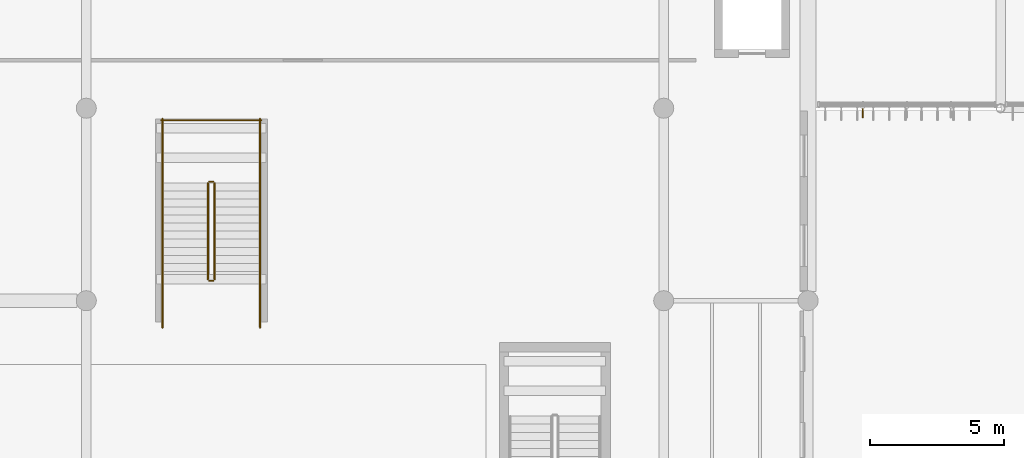
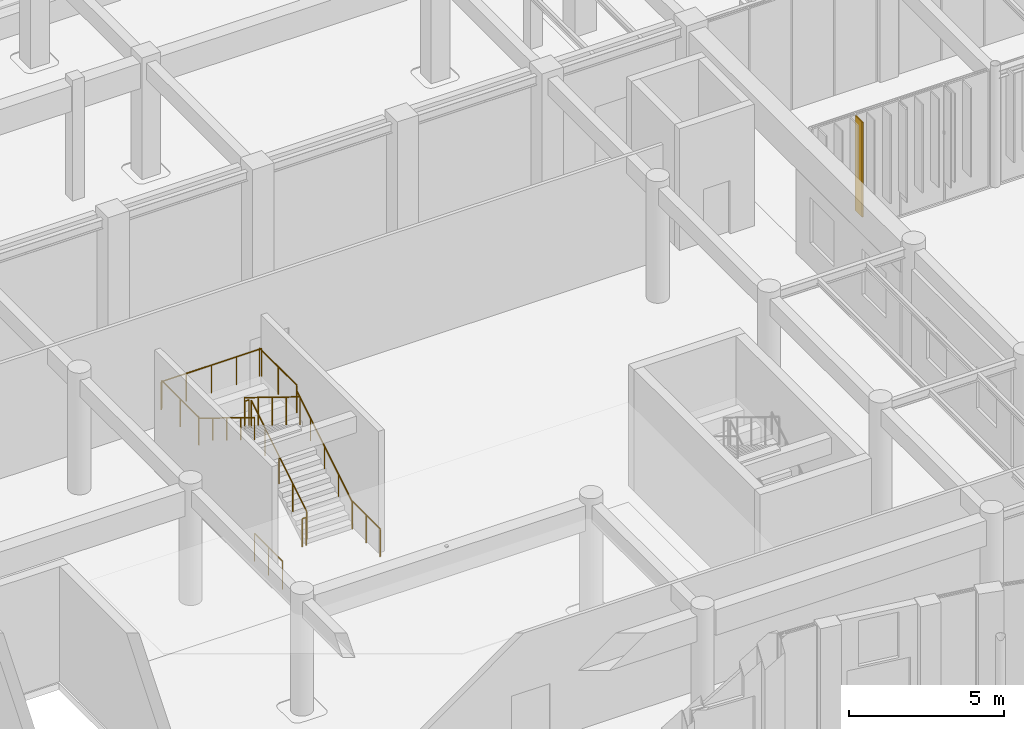
# One storey, part 112 of 122: 11 railings, 1 shading device.
"""IFC4 building model written with IfcOpenShell, lengths in metres."""

from ifc_helpers import new_model, si_unit, direction, frame, origin, origin_2d, place, context, subcontext, project, spatial, rectangle, circle, extrude, material, layer, layer_set, material_profile, profile_set, type_object, element, save


model = new_model("IFC4")

# Units and contexts
model_context = context("Model", 3, precision=1e-05, world=origin(), true_north=direction((0.0, 1.0)))
body_context = subcontext(model_context, "Body", "Model", "MODEL_VIEW")
ifc_project = project(units=[si_unit("LENGTHUNIT", "METRE"), si_unit("AREAUNIT", "SQUARE_METRE"), si_unit("VOLUMEUNIT", "CUBIC_METRE"), si_unit("PLANEANGLEUNIT", "RADIAN"), si_unit("MASSUNIT", "GRAM", prefix="KILO")], contexts=[model_context])

# Site, building, storey
site_placement = place(None, origin())
site = spatial("IfcSite", under=ifc_project, at=site_placement, CompositionType="ELEMENT")
building_placement = place(site_placement, origin())
building = spatial("IfcBuilding", under=site, at=building_placement, Name="Tazoul Stagehouse", CompositionType="ELEMENT")
storey_placement = place(building_placement, origin())
storey = spatial("IfcBuildingStorey", under=building, at=storey_placement, Name="L00", CompositionType="ELEMENT", Elevation=0.0)

# Shading device
ifc_material_1 = material(Name="Anodised Bronze Aluminium 6063-T6", Category="aluminium")
ifc_layer = layer(ifc_material_1, 0.050048828125, Name="Anodised Bronze Aluminium 6063-T6")
ifc_layer_set = layer_set([ifc_layer], Name="Anodised Bronze Aluminium 6063-T6")
shading_device_type = type_object("IfcShadingDeviceType", Name="Angled Acoustic Sun-Screen Blade 460", PredefinedType="USERDEFINED", material=ifc_layer_set)
shading_device_placement = place(storey_placement, frame((97.447021484375, 44.469970703125, 0.75), z_axis=(0.0, 0.0, 1.0), x_axis=(1.0, 0.0, 0.0)))
element("IfcShadingDevice", 1, at=shading_device_placement, inside=storey, type_object=shading_device_type, Name="Shading Louvre FIN-02 CW-ELNK-S-L00-B1-SHD01", ObjectType="FIN", PredefinedType="USERDEFINED", context=body_context, shape_type="SweptSolid", body=[
    extrude(rectangle(XDim=0.044921875, YDim=0.4599609375, at=origin_2d()), origin(), (0.0, 0.0, 1.0), 3.75),
])

# Railings
ifc_material_2 = material(Name="Brushed Stainless Steel 316L", Category="steel")
ifc_material_profile_1 = material_profile(ifc_material_2, circle(Radius=0.02392578125, at=origin_2d()), Name="SS RAIL D48")
ifc_profile_set_1 = profile_set([ifc_material_profile_1], Name="Brushed Stainless Steel 316L")
railing_type_1 = type_object("IfcRailingType", Name="Architectural Guardrail H1120", PredefinedType="GUARDRAIL", material=ifc_profile_set_1)
railing_1_placement = place(storey_placement, frame((73.199951171875, 38.199951171875, 0.1845703125)))
element("IfcRailing", 2, at=railing_1_placement, inside=storey, type_object=railing_type_1, Name="L00 ST-ATR-01 stair guard 1", PredefinedType="GUARDRAIL", context=body_context, shape_type="SweptSolid", body=[
    extrude(circle(Radius=0.02392578125, at=origin_2d()), frame((0.0, 0.0, 1.09619140625), z_axis=(0.0, 0.85167021472, 0.524078090897), x_axis=(-1.0, 0.0, 0.0)), (0.0, 0.0, 1.0), 4.22705078125),
    extrude(circle(Radius=0.02099609375, at=origin_2d()), origin(), (0.0, 0.0, 1.0), 1.072021484375),
    extrude(circle(Radius=0.02099609375, at=origin_2d()), frame((0.0, 0.89990234375, 0.5537109375)), (0.0, 0.0, 1.0), 1.072021484375),
    extrude(circle(Radius=0.02099609375, at=origin_2d()), frame((0.0, 1.800048828125, 1.107666015625)), (0.0, 0.0, 1.0), 1.072021484375),
    extrude(circle(Radius=0.02099609375, at=origin_2d()), frame((0.0, 2.7001953125, 1.66162109375)), (0.0, 0.0, 1.0), 1.072021484375),
    extrude(circle(Radius=0.02099609375, at=origin_2d()), frame((0.0, 3.60009765625, 2.21533203125)), (0.0, 0.0, 1.0), 1.072021484375),
])
railing_2_placement = place(storey_placement, frame((73.14990234375, 41.85009765625, 2.39990234375)))
element("IfcRailing", 3, at=railing_2_placement, inside=storey, type_object=railing_type_1, Name="L00 ST-ATR-01 stair guard 2", PredefinedType="GUARDRAIL", context=body_context, shape_type="SweptSolid", body=[
    extrude(circle(Radius=0.02392578125, at=origin_2d()), frame((0.0, 0.0, 1.09619140625), z_axis=(-1.0, 0.0, 0.0), x_axis=(0.0, -1.0, 0.0)), (0.0, 0.0, 1.0), 0.14990234375),
    extrude(circle(Radius=0.02099609375, at=origin_2d()), origin(), (0.0, 0.0, 1.0), 1.072021484375),
    extrude(circle(Radius=0.02099609375, at=origin_2d()), frame((-0.14990234375, 0.0, 0.0)), (0.0, 0.0, 1.0), 1.072021484375),
])
for number, where, name in (
    (4, (74.89990234375, 41.800048828125, 2.39990234375), "L00 ST-ATR-01 stair guard 3"),
    (5, (71.25, 41.800048828125, 2.39990234375), "L00 ST-ATR-01 stair guard 4"),
):
    element("IfcRailing", number, at=place(storey_placement, frame(where)), inside=storey, type_object=railing_type_1, Name=name, PredefinedType="GUARDRAIL", context=body_context, shape_type="SweptSolid", body=[
        extrude(circle(Radius=0.02392578125, at=origin_2d()), frame((0.0, 0.0, 1.09619140625), z_axis=(0.0, 1.0, 0.0), x_axis=(-1.0, 0.0, 0.0)), (0.0, 0.0, 1.0), 2.39990234375),
        extrude(circle(Radius=0.02099609375, at=origin_2d()), origin(), (0.0, 0.0, 1.0), 1.072021484375),
        extrude(circle(Radius=0.02099609375, at=origin_2d()), frame((0.0, 1.199951171875, 0.0)), (0.0, 0.0, 1.0), 1.072021484375),
        extrude(circle(Radius=0.02099609375, at=origin_2d()), frame((0.0, 2.39990234375, 0.0)), (0.0, 0.0, 1.0), 1.072021484375),
    ])
railing_3_placement = place(storey_placement, frame((74.949951171875, 44.14990234375, 2.39990234375)))
element("IfcRailing", 6, at=railing_3_placement, inside=storey, type_object=railing_type_1, Name="L00 ST-ATR-01 stair guard 5", PredefinedType="GUARDRAIL", context=body_context, shape_type="SweptSolid", body=[
    extrude(circle(Radius=0.02392578125, at=origin_2d()), frame((0.0, 0.0, 1.09619140625), z_axis=(-1.0, 0.0, 0.0), x_axis=(0.0, -1.0, 0.0)), (0.0, 0.0, 1.0), 3.75),
    extrude(circle(Radius=0.02099609375, at=origin_2d()), origin(), (0.0, 0.0, 1.0), 1.072021484375),
    extrude(circle(Radius=0.02099609375, at=origin_2d()), frame((-0.9375, 0.0, 0.0)), (0.0, 0.0, 1.0), 1.072021484375),
    extrude(circle(Radius=0.02099609375, at=origin_2d()), frame((-1.875, 0.0, 0.0)), (0.0, 0.0, 1.0), 1.072021484375),
    extrude(circle(Radius=0.02099609375, at=origin_2d()), frame((-2.8125, 0.0, 0.0)), (0.0, 0.0, 1.0), 1.072021484375),
    extrude(circle(Radius=0.02099609375, at=origin_2d()), frame((-3.75, 0.0, 0.0)), (0.0, 0.0, 1.0), 1.072021484375),
])
railing_4_placement = place(storey_placement, frame((72.949951171875, 41.800048828125, 2.584716796875)))
element("IfcRailing", 7, at=railing_4_placement, inside=storey, type_object=railing_type_1, Name="L00 ST-ATR-01 stair guard 6", PredefinedType="GUARDRAIL", context=body_context, shape_type="SweptSolid", body=[
    extrude(circle(Radius=0.02392578125, at=origin_2d()), frame((0.0, 0.0, 1.09619140625), z_axis=(0.0, -0.85167021472, 0.524078090897), x_axis=(1.0, 0.0, 0.0)), (0.0, 0.0, 1.0), 4.22705078125),
    extrude(circle(Radius=0.02099609375, at=origin_2d()), origin(), (0.0, 0.0, 1.0), 1.072021484375),
    extrude(circle(Radius=0.02099609375, at=origin_2d()), frame((0.0, -0.89990234375, 0.5537109375)), (0.0, 0.0, 1.0), 1.072021484375),
    extrude(circle(Radius=0.02099609375, at=origin_2d()), frame((0.0, -1.800048828125, 1.107666015625)), (0.0, 0.0, 1.0), 1.072021484375),
    extrude(circle(Radius=0.02099609375, at=origin_2d()), frame((0.0, -2.7001953125, 1.66162109375)), (0.0, 0.0, 1.0), 1.072021484375),
    extrude(circle(Radius=0.02099609375, at=origin_2d()), frame((0.0, -3.60009765625, 2.21533203125)), (0.0, 0.0, 1.0), 1.072021484375),
])
railing_5_placement = place(storey_placement, frame((73.14990234375, 38.14990234375, 0.0)))
element("IfcRailing", 8, at=railing_5_placement, inside=storey, type_object=railing_type_1, Name="L00 ST-ATR-01 stair guard 7", PredefinedType="GUARDRAIL", context=body_context, shape_type="SweptSolid", body=[
    extrude(circle(Radius=0.02392578125, at=origin_2d()), frame((0.0, 0.0, 1.09619140625), z_axis=(-1.0, 0.0, 0.0), x_axis=(0.0, -1.0, 0.0)), (0.0, 0.0, 1.0), 0.14990234375),
    extrude(circle(Radius=0.02099609375, at=origin_2d()), origin(), (0.0, 0.0, 1.0), 1.072021484375),
    extrude(circle(Radius=0.02099609375, at=origin_2d()), frame((-0.14990234375, 0.0, 0.0)), (0.0, 0.0, 1.0), 1.072021484375),
])
for number, where, name in (
    (9, (74.89990234375, 36.39990234375, 0.0), "L00 ST-ATR-01 stair guard 8"),
    (10, (71.25, 36.39990234375, 0.0), "L00 ST-ATR-01 stair guard 9"),
):
    element("IfcRailing", number, at=place(storey_placement, frame(where)), inside=storey, type_object=railing_type_1, Name=name, PredefinedType="GUARDRAIL", context=body_context, shape_type="SweptSolid", body=[
        extrude(circle(Radius=0.02392578125, at=origin_2d()), frame((0.0, 0.0, 1.09619140625), z_axis=(0.0, 1.0, 0.0), x_axis=(-1.0, 0.0, 0.0)), (0.0, 0.0, 1.0), 1.800048828125),
        extrude(circle(Radius=0.02099609375, at=origin_2d()), origin(), (0.0, 0.0, 1.0), 1.072021484375),
        extrude(circle(Radius=0.02099609375, at=origin_2d()), frame((0.0, 0.89990234375, 0.0)), (0.0, 0.0, 1.0), 1.072021484375),
        extrude(circle(Radius=0.02099609375, at=origin_2d()), frame((0.0, 1.800048828125, 0.0)), (0.0, 0.0, 1.0), 1.072021484375),
    ])
ifc_material_profile_2 = material_profile(ifc_material_2, circle(Radius=0.02099609375, at=origin_2d()), Name="SS HANDRAIL D42")
ifc_profile_set_2 = profile_set([ifc_material_profile_2], Name="Brushed Stainless Steel 316L")
railing_type_2 = type_object("IfcRailingType", Name="Continuous Stair Handrail H900", PredefinedType="HANDRAIL", material=ifc_profile_set_2)
railing_6_placement = place(storey_placement, frame((74.89990234375, 38.199951171875, 0.1845703125)))
element("IfcRailing", 11, at=railing_6_placement, inside=storey, type_object=railing_type_2, Name="L00 ST-ATR-01 stair handrail 1", PredefinedType="HANDRAIL", context=body_context, shape_type="SweptSolid", body=[
    extrude(circle(Radius=0.02392578125, at=origin_2d()), frame((0.0, 0.0, 0.8759765625), z_axis=(0.0, 0.85167021472, 0.524078090897), x_axis=(-1.0, 0.0, 0.0)), (0.0, 0.0, 1.0), 4.22705078125),
    extrude(circle(Radius=0.02099609375, at=origin_2d()), origin(), (0.0, 0.0, 1.0), 0.851806640625),
    extrude(circle(Radius=0.02099609375, at=origin_2d()), frame((0.0, 0.89990234375, 0.5537109375)), (0.0, 0.0, 1.0), 0.851806640625),
    extrude(circle(Radius=0.02099609375, at=origin_2d()), frame((0.0, 1.800048828125, 1.107666015625)), (0.0, 0.0, 1.0), 0.851806640625),
    extrude(circle(Radius=0.02099609375, at=origin_2d()), frame((0.0, 2.7001953125, 1.66162109375)), (0.0, 0.0, 1.0), 0.851806640625),
    extrude(circle(Radius=0.02099609375, at=origin_2d()), frame((0.0, 3.60009765625, 2.21533203125)), (0.0, 0.0, 1.0), 0.851806640625),
])
railing_7_placement = place(storey_placement, frame((71.25, 41.800048828125, 2.584716796875)))
element("IfcRailing", 12, at=railing_7_placement, inside=storey, type_object=railing_type_2, Name="L00 ST-ATR-01 stair handrail 2", PredefinedType="HANDRAIL", context=body_context, shape_type="SweptSolid", body=[
    extrude(circle(Radius=0.02392578125, at=origin_2d()), frame((0.0, 0.0, 0.8759765625), z_axis=(0.0, -0.85167021472, 0.524078090897), x_axis=(1.0, 0.0, 0.0)), (0.0, 0.0, 1.0), 4.22705078125),
    extrude(circle(Radius=0.02099609375, at=origin_2d()), origin(), (0.0, 0.0, 1.0), 0.851806640625),
    extrude(circle(Radius=0.02099609375, at=origin_2d()), frame((0.0, -0.89990234375, 0.5537109375)), (0.0, 0.0, 1.0), 0.851806640625),
    extrude(circle(Radius=0.02099609375, at=origin_2d()), frame((0.0, -1.800048828125, 1.107666015625)), (0.0, 0.0, 1.0), 0.851806640625),
    extrude(circle(Radius=0.02099609375, at=origin_2d()), frame((0.0, -2.7001953125, 1.66162109375)), (0.0, 0.0, 1.0), 0.851806640625),
    extrude(circle(Radius=0.02099609375, at=origin_2d()), frame((0.0, -3.60009765625, 2.21533203125)), (0.0, 0.0, 1.0), 0.851806640625),
])

save(model, "model.ifc")
